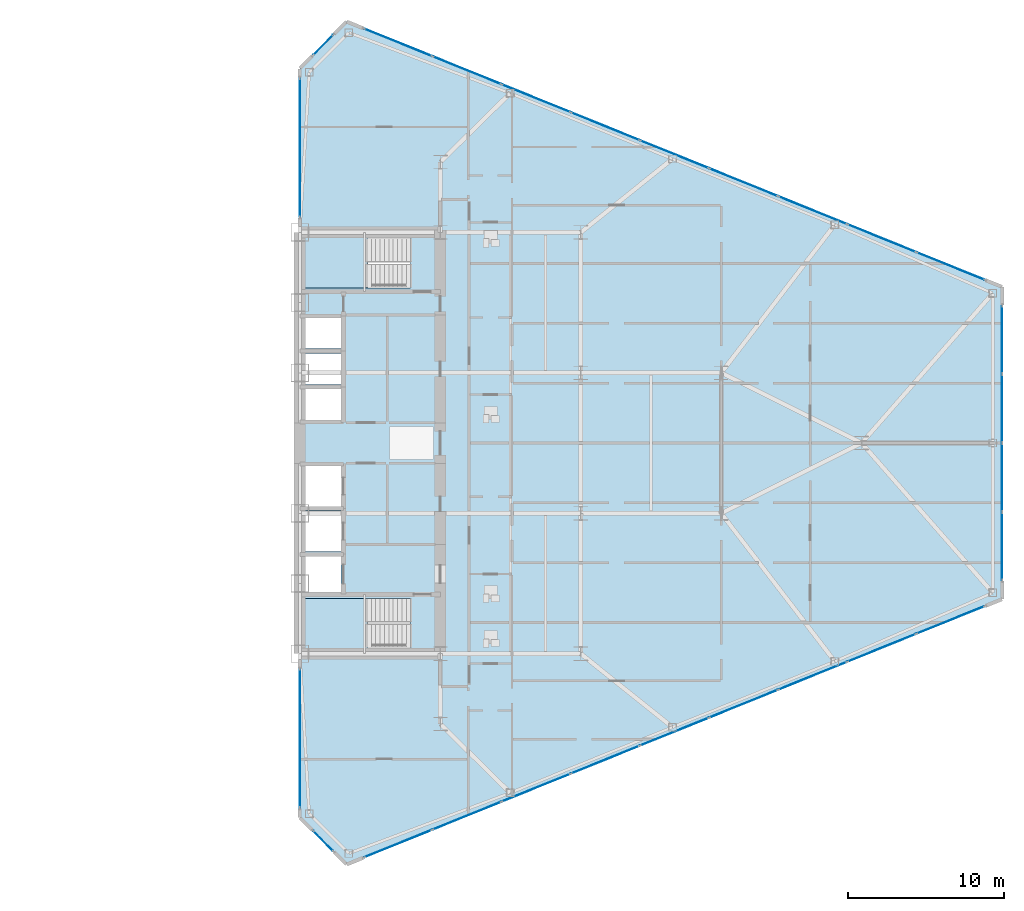
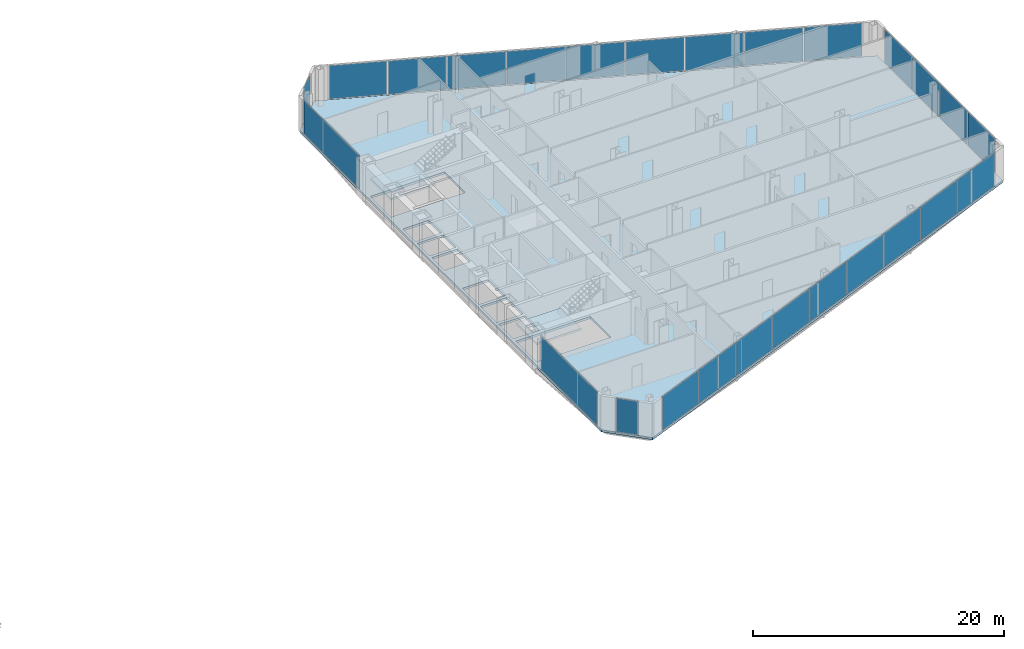
# One storey, part 16 of 25: 26 plates, 3 slabs, 9 elements without a shape of their own.
"""IFC4 building model written with IfcOpenShell, lengths in metres."""

from ifc_helpers import new_model, si_unit, direction, frame, origin, origin_2d, place, context, subcontext, project, spatial, polyline, rectangle, outline, extrude, source, transform, mapped, material, layer, layer_set, type_object, type_shapes, element, aggregate, save


model = new_model("IFC4")

# Units and contexts
model_context = context("Model", 3, precision=1e-05, world=origin(), true_north=direction((0.0, 1.0)))
body_context = subcontext(model_context, "Body", "Model", "MODEL_VIEW")
ifc_project = project(units=[si_unit("LENGTHUNIT", "METRE"), si_unit("AREAUNIT", "SQUARE_METRE"), si_unit("VOLUMEUNIT", "CUBIC_METRE"), si_unit("PLANEANGLEUNIT", "RADIAN"), si_unit("MASSUNIT", "GRAM", prefix="KILO")], contexts=[model_context])

# Site, building, storey
site_placement = place(None, origin())
site = spatial("IfcSite", under=ifc_project, at=site_placement, CompositionType="ELEMENT")
building_placement = place(site_placement, origin())
building = spatial("IfcBuilding", under=site, at=building_placement, Name="Seokmaru Belvedere", CompositionType="ELEMENT")
storey_placement = place(building_placement, frame((0.0, 0.0, 40.5)))
storey = spatial("IfcBuildingStorey", under=building, at=storey_placement, Name="L10", CompositionType="ELEMENT", Elevation=40.5)

# Stair, slab
ifc_material_1 = material(Name="Concrete C40 (40 MPa)", Category="concrete")
stair_type = type_object("IfcStairType", Name="Typical Tower Core Dog-Leg Stair 3600", PredefinedType="TWO_STRAIGHT_RUN_STAIR", material=ifc_material_1)
stair_1_placement = place(storey_placement, origin())
stair_1 = element("IfcStair", 1, at=stair_1_placement, inside=storey, type_object=stair_type, Name="L10 Special Escape Stair ST-E1", PredefinedType="TWO_STRAIGHT_RUN_STAIR")
ifc_layer_1 = layer(ifc_material_1, 0.199951171875)
ifc_layer_set_1 = layer_set([ifc_layer_1], Name="Concrete C40 (40 MPa)")
slab_type_1 = type_object("IfcSlabType", Name="Reinforced Concrete Stair Landing Slab 200", PredefinedType="LANDING", material=ifc_layer_set_1)
slab_1_placement = place(storey_placement, frame((0.0, 0.0, 1.60009765625)))
slab_1 = element("IfcSlab", 2, at=slab_1_placement, type_object=slab_type_1, Name="ST-E1 landing 1", PredefinedType="LANDING", context=body_context, shape_type="SweptSolid", body=[
    extrude(outline(polyline([(27.760009765625, -13.239990234375), (31.8798828125, -13.239990234375), (31.8798828125, -9.949951171875), (27.760009765625, -9.949951171875), (27.760009765625, -13.239990234375)])), origin(), (0.0, 0.0, 1.0), 0.199951171875),
])
aggregate(stair_1, [slab_1])

stair_2_placement = place(storey_placement, origin())
stair_2 = element("IfcStair", 3, at=stair_2_placement, inside=storey, type_object=stair_type, Name="L10 Special Escape Stair ST-E2", PredefinedType="TWO_STRAIGHT_RUN_STAIR")
slab_2_placement = place(storey_placement, frame((0.0, 0.0, 1.60009765625)))
slab_2 = element("IfcSlab", 4, at=slab_2_placement, type_object=slab_type_1, Name="ST-E2 landing 1", PredefinedType="LANDING", context=body_context, shape_type="SweptSolid", body=[
    extrude(outline(polyline([(27.760009765625, 9.949951171875), (31.8798828125, 9.949951171875), (31.8798828125, 13.239990234375), (27.760009765625, 13.239990234375), (27.760009765625, 9.949951171875)])), origin(), (0.0, 0.0, 1.0), 0.199951171875),
])
aggregate(stair_2, [slab_2])

# Slab
ifc_layer_2 = layer(ifc_material_1, 0.219970703125)
ifc_layer_set_2 = layer_set([ifc_layer_2], Name="Concrete C40 (40 MPa)")
slab_type_2 = type_object("IfcSlabType", Name="Typical Tower Composite Floor Slab 220", PredefinedType="FLOOR", material=ifc_layer_set_2)
slab_3_placement = place(storey_placement, frame((0.0, 0.0, -0.219970703125)))
element("IfcSlab", 5, at=slab_3_placement, inside=storey, type_object=slab_type_2, Name="L10 East Leg Floor Slab", PredefinedType="FLOOR", context=body_context, shape_type="SweptSolid", body=[
    extrude(outline(polyline([(30.5, -27.0), (72.5, -10.0), (72.5, 10.0), (30.5, 27.0), (27.5, 24.0), (27.5, -24.0), (30.5, -27.0)]), holes=[polyline([(27.75, -13.25), (34.60009765625, -13.25), (34.60009765625, -9.949951171875), (27.75, -9.949951171875), (27.75, -13.25)]), polyline([(27.75, 9.949951171875), (34.60009765625, 9.949951171875), (34.60009765625, 13.25), (27.75, 13.25), (27.75, 9.949951171875)]), polyline([(27.75, -9.550048828125), (30.14990234375, -9.550048828125), (30.14990234375, -7.25), (27.75, -7.25), (27.75, -9.550048828125)]), polyline([(27.75, -6.949951171875), (30.14990234375, -6.949951171875), (30.14990234375, -4.35009765625), (27.75, -4.35009765625), (27.75, -6.949951171875)]), polyline([(27.75, -4.050048828125), (30.14990234375, -4.050048828125), (30.14990234375, -1.449951171875), (27.75, -1.449951171875), (27.75, -4.050048828125)]), polyline([(27.75, 1.449951171875), (30.14990234375, 1.449951171875), (30.14990234375, 3.449951171875), (27.75, 3.449951171875), (27.75, 1.449951171875)]), polyline([(27.75, 3.75), (30.14990234375, 3.75), (30.14990234375, 5.75), (27.75, 5.75), (27.75, 3.75)]), polyline([(27.75, 6.050048828125), (30.14990234375, 6.050048828125), (30.14990234375, 8.050048828125), (27.75, 8.050048828125), (27.75, 6.050048828125)])]), origin(), (0.0, 0.0, 1.0), 0.219970703125),
])

# Curtain wall, plate
ifc_material_2 = material(Name="Bronze Triple Insulating Glass", Category="glass")
ifc_layer_3 = layer(ifc_material_2, 0.2099609375)
ifc_layer_set_3 = layer_set([ifc_layer_3], Name="Bronze Triple Insulating Glass")
curtain_wall_type = type_object("IfcCurtainWallType", Name="Low-Rise Faceted Crystal Curtain Wall System CW-2", PredefinedType="NOTDEFINED", material=ifc_layer_set_3)
curtain_wall_1_placement = place(storey_placement, origin())
curtain_wall_1 = element("IfcCurtainWall", 6, at=curtain_wall_1_placement, inside=storey, type_object=curtain_wall_type, Name="L10 Curtain Wall ESP_1", PredefinedType="NOTDEFINED")
ifc_layer_4 = layer(ifc_material_2, 0.035888671875)
ifc_layer_set_4 = layer_set([ifc_layer_4], Name="Bronze Triple Insulating Glass")
plate_type = type_object("IfcPlateType", Name="Bronze Triple Vision Glazing Panel 36", PredefinedType="CURTAIN_PANEL", material=ifc_layer_set_4)
shared_shape_1 = source(origin(), body_context, "Body", "SweptSolid", [
    extrude(rectangle(XDim=8.85009765625, YDim=0.035888671875, at=origin_2d()), origin(), (0.0, 0.0, 1.0), 3.239990234375),
])
plate_1_placement = place(storey_placement, frame((27.5, -18.929931640625, 0.06982421875), z_axis=(0.0, 0.0, 1.0), x_axis=(0.0, -1.0, 0.0)))
plate_1 = element("IfcPlate", 7, at=plate_1_placement, type_object=plate_type, Name="CW:L10:ESP_1 Glazing Panel 1-1", PredefinedType="CURTAIN_PANEL", context=body_context, shape_type="MappedRepresentation", body=[
    mapped(shared_shape_1, transform((0.0, 0.0, 0.0), scale=1.0)),
])
aggregate(curtain_wall_1, [plate_1])

curtain_wall_2_placement = place(storey_placement, origin())
curtain_wall_2 = element("IfcCurtainWall", 8, at=curtain_wall_2_placement, inside=storey, type_object=curtain_wall_type, Name="L10 Curtain Wall ESP_2", PredefinedType="NOTDEFINED")
plate_2_placement = place(storey_placement, frame((27.5, 18.929931640625, 0.06982421875), z_axis=(0.0, 0.0, 1.0), x_axis=(0.0, -1.0, 0.0)))
plate_2 = element("IfcPlate", 9, at=plate_2_placement, type_object=plate_type, Name="CW:L10:ESP_2 Glazing Panel 1-1", PredefinedType="CURTAIN_PANEL", context=body_context, shape_type="MappedRepresentation", body=[
    mapped(shared_shape_1, transform((0.0, 0.0, 0.0), scale=1.0)),
])
aggregate(curtain_wall_2, [plate_2])

curtain_wall_3_placement = place(storey_placement, origin())
curtain_wall_3 = element("IfcCurtainWall", 10, at=curtain_wall_3_placement, inside=storey, type_object=curtain_wall_type, Name="L10 Curtain Wall EF4", PredefinedType="NOTDEFINED")
shared_shape_2 = source(origin(), body_context, "Body", "SweptSolid", [
    extrude(rectangle(XDim=1.79248046875, YDim=0.035888671875, at=origin_2d()), origin(), (0.0, 0.0, 1.0), 3.239990234375),
])
plate_3_placement = place(storey_placement, frame((29.0, 25.5, 0.06982421875), z_axis=(0.0, 0.0, 1.0), x_axis=(-0.707106781187, -0.707106781187, 0.0)))
plate_3 = element("IfcPlate", 11, at=plate_3_placement, type_object=plate_type, Name="CW:L10:EF4 Glazing Panel 1-1", PredefinedType="CURTAIN_PANEL", context=body_context, shape_type="MappedRepresentation", body=[
    mapped(shared_shape_2, transform((0.0, 0.0, 0.0), scale=1.0)),
])
aggregate(curtain_wall_3, [plate_3])

curtain_wall_4_placement = place(storey_placement, origin())
curtain_wall_4 = element("IfcCurtainWall", 12, at=curtain_wall_4_placement, inside=storey, type_object=curtain_wall_type, Name="L10 Curtain Wall EF6", PredefinedType="NOTDEFINED")
plate_4_placement = place(storey_placement, frame((29.0, -25.5, 0.06982421875), z_axis=(0.0, 0.0, 1.0), x_axis=(0.707106781187, -0.707106781187, 0.0)))
plate_4 = element("IfcPlate", 13, at=plate_4_placement, type_object=plate_type, Name="CW:L10:EF6 Glazing Panel 1-1", PredefinedType="CURTAIN_PANEL", context=body_context, shape_type="MappedRepresentation", body=[
    mapped(shared_shape_2, transform((0.0, 0.0, 0.0), scale=1.0)),
])
aggregate(curtain_wall_4, [plate_4])

# Curtain wall, plates
curtain_wall_5_placement = place(storey_placement, origin())
curtain_wall_5 = element("IfcCurtainWall", 14, at=curtain_wall_5_placement, inside=storey, type_object=curtain_wall_type, Name="L10 Curtain Wall EF1", PredefinedType="NOTDEFINED")
shared_shape_3 = source(origin(), body_context, "Body", "SweptSolid", [
    extrude(rectangle(XDim=4.66650390625, YDim=0.035888671875, at=origin_2d()), origin(), (0.0, 0.0, 1.0), 3.239990234375),
])
plate_5_placement = place(storey_placement, frame((33.79833984375, -25.6650390625, 0.06982421875), z_axis=(0.0, 0.0, 1.0), x_axis=(0.926946989637, 0.375192321888, 0.0)))
plate_5 = element("IfcPlate", 15, at=plate_5_placement, type_object=plate_type, Name="CW:L10:EF1 Glazing Panel 1-1", PredefinedType="CURTAIN_PANEL", context=body_context, shape_type="MappedRepresentation", body=[
    mapped(shared_shape_3, transform((0.0, 0.0, 0.0), scale=1.0)),
])
plate_6_placement = place(storey_placement, frame((69.20166015625, -11.3349609375, 0.06982421875), z_axis=(0.0, 0.0, 1.0), x_axis=(0.926946989637, 0.375192321888, 0.0)))
plate_6 = element("IfcPlate", 16, at=plate_6_placement, type_object=plate_type, Name="CW:L10:EF1 Glazing Panel 9-1", PredefinedType="CURTAIN_PANEL", context=body_context, shape_type="MappedRepresentation", body=[
    mapped(shared_shape_3, transform((0.0, 0.0, 0.0), scale=1.0)),
])

curtain_wall_6_placement = place(storey_placement, origin())
curtain_wall_6 = element("IfcCurtainWall", 17, at=curtain_wall_6_placement, inside=storey, type_object=curtain_wall_type, Name="L10 Curtain Wall EF3", PredefinedType="NOTDEFINED")
plate_7_placement = place(storey_placement, frame((69.20166015625, 11.3349609375, 0.06982421875), z_axis=(0.0, 0.0, 1.0), x_axis=(-0.926946989637, 0.375192321888, 0.0)))
plate_7 = element("IfcPlate", 18, at=plate_7_placement, type_object=plate_type, Name="CW:L10:EF3 Glazing Panel 1-1", PredefinedType="CURTAIN_PANEL", context=body_context, shape_type="MappedRepresentation", body=[
    mapped(shared_shape_3, transform((0.0, 0.0, 0.0), scale=1.0)),
])
plate_8_placement = place(storey_placement, frame((33.79833984375, 25.6650390625, 0.06982421875), z_axis=(0.0, 0.0, 1.0), x_axis=(-0.926946989637, 0.375192321888, 0.0)))
plate_8 = element("IfcPlate", 19, at=plate_8_placement, type_object=plate_type, Name="CW:L10:EF3 Glazing Panel 9-1", PredefinedType="CURTAIN_PANEL", context=body_context, shape_type="MappedRepresentation", body=[
    mapped(shared_shape_3, transform((0.0, 0.0, 0.0), scale=1.0)),
])

# Plate
shared_shape_4 = source(origin(), body_context, "Body", "SweptSolid", [
    extrude(rectangle(XDim=4.703857421875, YDim=0.035888671875, at=origin_2d()), origin(), (0.0, 0.0, 1.0), 3.239990234375),
])
plate_9_placement = place(storey_placement, frame((38.210693359375, -23.87890625, 0.06982421875), z_axis=(0.0, 0.0, 1.0), x_axis=(0.926946989637, 0.375192321888, 0.0)))
plate_9 = element("IfcPlate", 20, at=plate_9_placement, type_object=plate_type, Name="CW:L10:EF1 Glazing Panel 2-1", PredefinedType="CURTAIN_PANEL", context=body_context, shape_type="MappedRepresentation", body=[
    mapped(shared_shape_4, transform((0.0, 0.0, 0.0), scale=1.0)),
])

plate_10_placement = place(storey_placement, frame((42.640380859375, -22.0859375, 0.06982421875), z_axis=(0.0, 0.0, 1.0), x_axis=(0.926946989637, 0.375192321888, 0.0)))
plate_10 = element("IfcPlate", 21, at=plate_10_placement, type_object=plate_type, Name="CW:L10:EF1 Glazing Panel 3-1", PredefinedType="CURTAIN_PANEL", context=body_context, shape_type="MappedRepresentation", body=[
    mapped(shared_shape_4, transform((0.0, 0.0, 0.0), scale=1.0)),
])

plate_11_placement = place(storey_placement, frame((47.0703125, -20.29296875, 0.06982421875), z_axis=(0.0, 0.0, 1.0), x_axis=(0.926946989637, 0.375192321888, 0.0)))
plate_11 = element("IfcPlate", 22, at=plate_11_placement, type_object=plate_type, Name="CW:L10:EF1 Glazing Panel 4-1", PredefinedType="CURTAIN_PANEL", context=body_context, shape_type="MappedRepresentation", body=[
    mapped(shared_shape_4, transform((0.0, 0.0, 0.0), scale=1.0)),
])

plate_12_placement = place(storey_placement, frame((51.5, -18.5, 0.06982421875), z_axis=(0.0, 0.0, 1.0), x_axis=(0.926946989637, 0.375192321888, 0.0)))
plate_12 = element("IfcPlate", 23, at=plate_12_placement, type_object=plate_type, Name="CW:L10:EF1 Glazing Panel 5-1", PredefinedType="CURTAIN_PANEL", context=body_context, shape_type="MappedRepresentation", body=[
    mapped(shared_shape_4, transform((0.0, 0.0, 0.0), scale=1.0)),
])

plate_13_placement = place(storey_placement, frame((55.9296875, -16.70703125, 0.06982421875), z_axis=(0.0, 0.0, 1.0), x_axis=(0.926946989637, 0.375192321888, 0.0)))
plate_13 = element("IfcPlate", 24, at=plate_13_placement, type_object=plate_type, Name="CW:L10:EF1 Glazing Panel 6-1", PredefinedType="CURTAIN_PANEL", context=body_context, shape_type="MappedRepresentation", body=[
    mapped(shared_shape_4, transform((0.0, 0.0, 0.0), scale=1.0)),
])

plate_14_placement = place(storey_placement, frame((60.359619140625, -14.9140625, 0.06982421875), z_axis=(0.0, 0.0, 1.0), x_axis=(0.926946989637, 0.375192321888, 0.0)))
plate_14 = element("IfcPlate", 25, at=plate_14_placement, type_object=plate_type, Name="CW:L10:EF1 Glazing Panel 7-1", PredefinedType="CURTAIN_PANEL", context=body_context, shape_type="MappedRepresentation", body=[
    mapped(shared_shape_4, transform((0.0, 0.0, 0.0), scale=1.0)),
])

plate_15_placement = place(storey_placement, frame((64.789306640625, -13.12109375, 0.06982421875), z_axis=(0.0, 0.0, 1.0), x_axis=(0.926946989637, 0.375192321888, 0.0)))
plate_15 = element("IfcPlate", 26, at=plate_15_placement, type_object=plate_type, Name="CW:L10:EF1 Glazing Panel 8-1", PredefinedType="CURTAIN_PANEL", context=body_context, shape_type="MappedRepresentation", body=[
    mapped(shared_shape_4, transform((0.0, 0.0, 0.0), scale=1.0)),
])

aggregate(curtain_wall_5, [plate_5, plate_9, plate_10, plate_11, plate_12, plate_13, plate_14, plate_15, plate_6])

plate_16_placement = place(storey_placement, frame((64.789306640625, 13.12109375, 0.06982421875), z_axis=(0.0, 0.0, 1.0), x_axis=(-0.926946989637, 0.375192321888, 0.0)))
plate_16 = element("IfcPlate", 27, at=plate_16_placement, type_object=plate_type, Name="CW:L10:EF3 Glazing Panel 2-1", PredefinedType="CURTAIN_PANEL", context=body_context, shape_type="MappedRepresentation", body=[
    mapped(shared_shape_4, transform((0.0, 0.0, 0.0), scale=1.0)),
])

plate_17_placement = place(storey_placement, frame((60.359619140625, 14.9140625, 0.06982421875), z_axis=(0.0, 0.0, 1.0), x_axis=(-0.926946989637, 0.375192321888, 0.0)))
plate_17 = element("IfcPlate", 28, at=plate_17_placement, type_object=plate_type, Name="CW:L10:EF3 Glazing Panel 3-1", PredefinedType="CURTAIN_PANEL", context=body_context, shape_type="MappedRepresentation", body=[
    mapped(shared_shape_4, transform((0.0, 0.0, 0.0), scale=1.0)),
])

plate_18_placement = place(storey_placement, frame((55.9296875, 16.70703125, 0.06982421875), z_axis=(0.0, 0.0, 1.0), x_axis=(-0.926946989637, 0.375192321888, 0.0)))
plate_18 = element("IfcPlate", 29, at=plate_18_placement, type_object=plate_type, Name="CW:L10:EF3 Glazing Panel 4-1", PredefinedType="CURTAIN_PANEL", context=body_context, shape_type="MappedRepresentation", body=[
    mapped(shared_shape_4, transform((0.0, 0.0, 0.0), scale=1.0)),
])

plate_19_placement = place(storey_placement, frame((51.5, 18.5, 0.06982421875), z_axis=(0.0, 0.0, 1.0), x_axis=(-0.926946989637, 0.375192321888, 0.0)))
plate_19 = element("IfcPlate", 30, at=plate_19_placement, type_object=plate_type, Name="CW:L10:EF3 Glazing Panel 5-1", PredefinedType="CURTAIN_PANEL", context=body_context, shape_type="MappedRepresentation", body=[
    mapped(shared_shape_4, transform((0.0, 0.0, 0.0), scale=1.0)),
])

plate_20_placement = place(storey_placement, frame((47.0703125, 20.29296875, 0.06982421875), z_axis=(0.0, 0.0, 1.0), x_axis=(-0.926946989637, 0.375192321888, 0.0)))
plate_20 = element("IfcPlate", 31, at=plate_20_placement, type_object=plate_type, Name="CW:L10:EF3 Glazing Panel 6-1", PredefinedType="CURTAIN_PANEL", context=body_context, shape_type="MappedRepresentation", body=[
    mapped(shared_shape_4, transform((0.0, 0.0, 0.0), scale=1.0)),
])

plate_21_placement = place(storey_placement, frame((42.640380859375, 22.0859375, 0.06982421875), z_axis=(0.0, 0.0, 1.0), x_axis=(-0.926946989637, 0.375192321888, 0.0)))
plate_21 = element("IfcPlate", 32, at=plate_21_placement, type_object=plate_type, Name="CW:L10:EF3 Glazing Panel 7-1", PredefinedType="CURTAIN_PANEL", context=body_context, shape_type="MappedRepresentation", body=[
    mapped(shared_shape_4, transform((0.0, 0.0, 0.0), scale=1.0)),
])

plate_22_placement = place(storey_placement, frame((38.210693359375, 23.87890625, 0.06982421875), z_axis=(0.0, 0.0, 1.0), x_axis=(-0.926946989637, 0.375192321888, 0.0)))
plate_22 = element("IfcPlate", 33, at=plate_22_placement, type_object=plate_type, Name="CW:L10:EF3 Glazing Panel 8-1", PredefinedType="CURTAIN_PANEL", context=body_context, shape_type="MappedRepresentation", body=[
    mapped(shared_shape_4, transform((0.0, 0.0, 0.0), scale=1.0)),
])

aggregate(curtain_wall_6, [plate_7, plate_16, plate_17, plate_18, plate_19, plate_20, plate_21, plate_22, plate_8])

# Curtain wall, plates
curtain_wall_7_placement = place(storey_placement, origin())
curtain_wall_7 = element("IfcCurtainWall", 34, at=curtain_wall_7_placement, inside=storey, type_object=curtain_wall_type, Name="L10 Curtain Wall EF2", PredefinedType="NOTDEFINED")
shared_shape_5 = source(origin(), body_context, "Body", "SweptSolid", [
    extrude(rectangle(XDim=4.3125, YDim=0.035888671875, at=origin_2d()), origin(), (0.0, 0.0, 1.0), 3.239990234375),
])
plate_23_placement = place(storey_placement, frame((72.5, -6.61865234375, 0.06982421875), z_axis=(0.0, 0.0, 1.0), x_axis=(0.0, 1.0, 0.0)))
plate_23 = element("IfcPlate", 35, at=plate_23_placement, type_object=plate_type, Name="CW:L10:EF2 Glazing Panel 1-1", PredefinedType="CURTAIN_PANEL", context=body_context, shape_type="MappedRepresentation", body=[
    mapped(shared_shape_5, transform((0.0, 0.0, 0.0), scale=1.0)),
])
plate_24_placement = place(storey_placement, frame((72.5, 6.61865234375, 0.06982421875), z_axis=(0.0, 0.0, 1.0), x_axis=(0.0, 1.0, 0.0)))
plate_24 = element("IfcPlate", 36, at=plate_24_placement, type_object=plate_type, Name="CW:L10:EF2 Glazing Panel 4-1", PredefinedType="CURTAIN_PANEL", context=body_context, shape_type="MappedRepresentation", body=[
    mapped(shared_shape_5, transform((0.0, 0.0, 0.0), scale=1.0)),
])
shared_shape_6 = source(origin(), body_context, "Body", "SweptSolid", [
    extrude(rectangle(XDim=4.35009765625, YDim=0.035888671875, at=origin_2d()), origin(), (0.0, 0.0, 1.0), 3.239990234375),
])
type_shapes(plate_type, [shared_shape_1, shared_shape_2, shared_shape_3, shared_shape_4, shared_shape_5, shared_shape_6])
plate_25_placement = place(storey_placement, frame((72.5, -2.21240234375, 0.06982421875), z_axis=(0.0, 0.0, 1.0), x_axis=(0.0, 1.0, 0.0)))
plate_25 = element("IfcPlate", 37, at=plate_25_placement, type_object=plate_type, Name="CW:L10:EF2 Glazing Panel 2-1", PredefinedType="CURTAIN_PANEL", context=body_context, shape_type="MappedRepresentation", body=[
    mapped(shared_shape_6, transform((0.0, 0.0, 0.0), scale=1.0)),
])
plate_26_placement = place(storey_placement, frame((72.5, 2.21240234375, 0.06982421875), z_axis=(0.0, 0.0, 1.0), x_axis=(0.0, 1.0, 0.0)))
plate_26 = element("IfcPlate", 38, at=plate_26_placement, type_object=plate_type, Name="CW:L10:EF2 Glazing Panel 3-1", PredefinedType="CURTAIN_PANEL", context=body_context, shape_type="MappedRepresentation", body=[
    mapped(shared_shape_6, transform((0.0, 0.0, 0.0), scale=1.0)),
])
aggregate(curtain_wall_7, [plate_23, plate_25, plate_26, plate_24])

save(model, "model.ifc")
